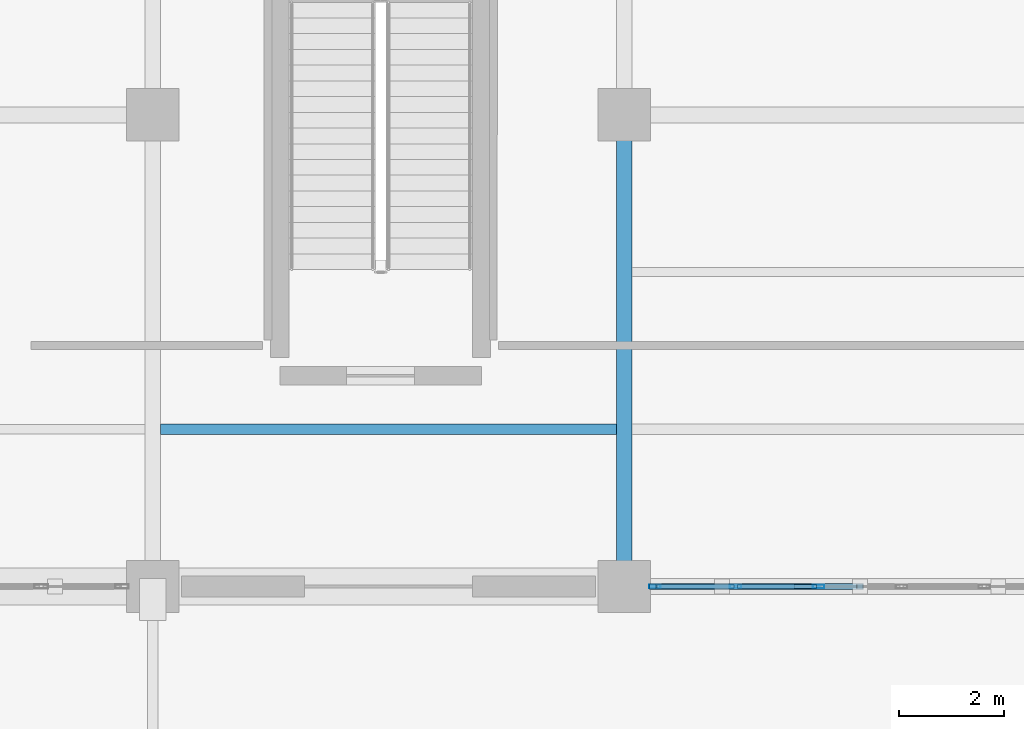
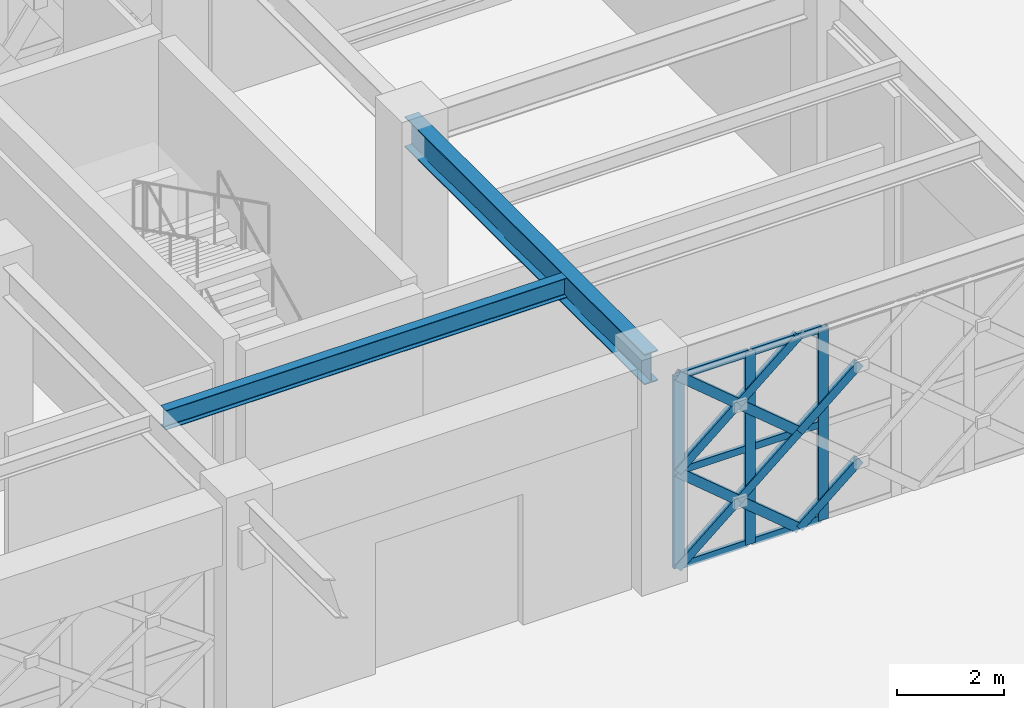
# One storey, part 45 of 140: 17 members, 2 beams, 1 element without a shape of its own.
"""IFC4 building model written with IfcOpenShell, lengths in metres."""

from ifc_helpers import new_model, si_unit, direction, frame, origin, origin_2d, place, context, subcontext, project, spatial, hollow_rectangle, i_section, extrude, material, material_profile, profile_set, type_object, element, aggregate, save


model = new_model("IFC4")

# Units and contexts
model_context = context("Model", 3, precision=1e-05, world=origin(), true_north=direction((0.0, 1.0)))
body_context = subcontext(model_context, "Body", "Model", "MODEL_VIEW")
ifc_project = project(units=[si_unit("LENGTHUNIT", "METRE"), si_unit("AREAUNIT", "SQUARE_METRE"), si_unit("VOLUMEUNIT", "CUBIC_METRE"), si_unit("PLANEANGLEUNIT", "RADIAN"), si_unit("MASSUNIT", "GRAM", prefix="KILO")], contexts=[model_context])

# Site, building, storey
site_placement = place(None, origin())
site = spatial("IfcSite", under=ifc_project, at=site_placement, CompositionType="ELEMENT")
building_placement = place(site_placement, origin())
building = spatial("IfcBuilding", under=site, at=building_placement, Name="Haizhuo Lancet Aquarium", CompositionType="ELEMENT")
storey_placement = place(building_placement, origin())
storey = spatial("IfcBuildingStorey", under=building, at=storey_placement, Name="L00", CompositionType="ELEMENT", Elevation=0.0)

# Beam
ifc_material_1 = material(Name="Steel S355", Category="steel")
ifc_material_profile_1 = material_profile(ifc_material_1, i_section(OverallWidth=0.300048828125, OverallDepth=0.699951171875, WebThickness=0.012939453125, FlangeThickness=0.02392578125, FilletRadius=0.02587890625, at=origin_2d()), Name="HN 700x300x13x24")
ifc_profile_set_1 = profile_set([ifc_material_profile_1], Name="Steel S355")
beam_type_1 = type_object("IfcBeamType", Name="BM-ST-HN700", PredefinedType="BEAM", material=ifc_profile_set_1)
beam_1_placement = place(storey_placement, frame((-45.0, 9.0, 4.77001953125), z_axis=(0.0, 1.0, 0.0), x_axis=(-1.0, 0.0, 0.0)))
element("IfcBeam", 1, at=beam_1_placement, inside=storey, type_object=beam_type_1, Name="L00 V2 primary girder BM-L00-V2-016", PredefinedType="BEAM", context=body_context, shape_type="SweptSolid", body=[
    extrude(i_section(OverallWidth=0.300048828125, OverallDepth=0.699951171875, WebThickness=0.012939453125, FlangeThickness=0.02392578125, FilletRadius=0.02587890625, at=origin_2d()), origin(), (0.0, 0.0, 1.0), 9.0),
])

# Curtain wall, members
ifc_material_2 = material(Name="Aluminium 6063-T6", Category="aluminium")
curtain_wall_type = type_object("IfcCurtainWallType", Name="CWO-7910x4420", PredefinedType="NOTDEFINED", material=ifc_material_2)
curtain_wall_placement = place(storey_placement, origin())
curtain_wall = element("IfcCurtainWall", 2, at=curtain_wall_placement, inside=storey, type_object=curtain_wall_type, Name="L00 curtain wall CW-V2-L00-017", PredefinedType="NOTDEFINED")
ifc_material_profile_2 = material_profile(ifc_material_2, hollow_rectangle(XDim=0.074951171875, YDim=0.219970703125, WallThickness=0.0048828125, at=origin_2d()), Name="ALU-M 75x220x5")
ifc_profile_set_2 = profile_set([ifc_material_profile_2], Name="Aluminium 6063-T6")
member_type_1 = type_object("IfcMemberType", Name="CW-MUL-2", PredefinedType="MULLION", material=ifc_profile_set_2)
member_1_placement = place(storey_placement, frame((-41.291015625, 9.0, 0.0), z_axis=(0.0, 0.0, 1.0), x_axis=(0.0, -1.0, 0.0)))
member_1 = element("IfcMember", 3, at=member_1_placement, type_object=member_type_1, Name="CWO-79x44 mullion 4", PredefinedType="MULLION", context=body_context, shape_type="SweptSolid", body=[
    extrude(hollow_rectangle(XDim=0.074951171875, YDim=0.219970703125, WallThickness=0.0048828125, at=origin_2d()), origin(), (0.0, 0.0, 1.0), 4.419921875),
])
member_2_placement = place(storey_placement, frame((-42.873046875, 9.0, 0.0), z_axis=(0.0, 0.0, 1.0), x_axis=(0.0, -1.0, 0.0)))
member_2 = element("IfcMember", 4, at=member_2_placement, type_object=member_type_1, Name="CWO-79x44 mullion 5", PredefinedType="MULLION", context=body_context, shape_type="SweptSolid", body=[
    extrude(hollow_rectangle(XDim=0.074951171875, YDim=0.219970703125, WallThickness=0.0048828125, at=origin_2d()), origin(), (0.0, 0.0, 1.0), 4.419921875),
])
member_3_placement = place(storey_placement, frame((-44.4169921875, 9.0, 0.0), z_axis=(0.0, 0.0, 1.0), x_axis=(0.0, -1.0, 0.0)))
member_3 = element("IfcMember", 5, at=member_3_placement, type_object=member_type_1, Name="CWO-79x44 mullion 6", PredefinedType="MULLION", context=body_context, shape_type="SweptSolid", body=[
    extrude(hollow_rectangle(XDim=0.074951171875, YDim=0.219970703125, WallThickness=0.0048828125, at=origin_2d()), origin(), (0.0, 0.0, 1.0), 4.419921875),
])
ifc_material_profile_3 = material_profile(ifc_material_2, hollow_rectangle(XDim=0.074951171875, YDim=0.159912109375, WallThickness=0.00390625, at=origin_2d()), Name="ALU-T 75x160x4")
ifc_profile_set_3 = profile_set([ifc_material_profile_3], Name="Aluminium 6063-T6")
member_type_2 = type_object("IfcMemberType", Name="CW-TRN-2", PredefinedType="NOTDEFINED", material=ifc_profile_set_3)
member_4_placement = place(storey_placement, frame((-41.327880859375, 9.0, 0.037109375), z_axis=(-1.0, 0.0, 0.0), x_axis=(0.0, -1.0, 0.0)))
member_4 = element("IfcMember", 6, at=member_4_placement, type_object=member_type_2, Name="CWO-79x44 transom 4.1", ObjectType="TRANSOM", PredefinedType="USERDEFINED", context=body_context, shape_type="SweptSolid", body=[
    extrude(hollow_rectangle(XDim=0.074951171875, YDim=0.159912109375, WallThickness=0.00390625, at=origin_2d()), origin(), (0.0, 0.0, 1.0), 1.507080078125),
])
member_5_placement = place(storey_placement, frame((-41.327880859375, 9.0, 2.2099609375), z_axis=(-1.0, 0.0, 0.0), x_axis=(0.0, -1.0, 0.0)))
member_5 = element("IfcMember", 7, at=member_5_placement, type_object=member_type_2, Name="CWO-79x44 transom 4.2", ObjectType="TRANSOM", PredefinedType="USERDEFINED", context=body_context, shape_type="SweptSolid", body=[
    extrude(hollow_rectangle(XDim=0.074951171875, YDim=0.159912109375, WallThickness=0.00390625, at=origin_2d()), origin(), (0.0, 0.0, 1.0), 1.507080078125),
])
member_6_placement = place(storey_placement, frame((-41.327880859375, 9.0, 4.383056640625), z_axis=(-1.0, 0.0, 0.0), x_axis=(0.0, -1.0, 0.0)))
member_6 = element("IfcMember", 8, at=member_6_placement, type_object=member_type_2, Name="CWO-79x44 transom 4.3", ObjectType="TRANSOM", PredefinedType="USERDEFINED", context=body_context, shape_type="SweptSolid", body=[
    extrude(hollow_rectangle(XDim=0.074951171875, YDim=0.159912109375, WallThickness=0.00390625, at=origin_2d()), origin(), (0.0, 0.0, 1.0), 1.507080078125),
])
member_7_placement = place(storey_placement, frame((-42.909912109375, 9.0, 0.037109375), z_axis=(-1.0, 0.0, 0.0), x_axis=(0.0, -1.0, 0.0)))
member_7 = element("IfcMember", 9, at=member_7_placement, type_object=member_type_2, Name="CWO-79x44 transom 5.1", ObjectType="TRANSOM", PredefinedType="USERDEFINED", context=body_context, shape_type="SweptSolid", body=[
    extrude(hollow_rectangle(XDim=0.074951171875, YDim=0.159912109375, WallThickness=0.00390625, at=origin_2d()), origin(), (0.0, 0.0, 1.0), 1.469970703125),
])
member_8_placement = place(storey_placement, frame((-42.909912109375, 9.0, 2.2099609375), z_axis=(-1.0, 0.0, 0.0), x_axis=(0.0, -1.0, 0.0)))
member_8 = element("IfcMember", 10, at=member_8_placement, type_object=member_type_2, Name="CWO-79x44 transom 5.2", ObjectType="TRANSOM", PredefinedType="USERDEFINED", context=body_context, shape_type="SweptSolid", body=[
    extrude(hollow_rectangle(XDim=0.074951171875, YDim=0.159912109375, WallThickness=0.00390625, at=origin_2d()), origin(), (0.0, 0.0, 1.0), 1.469970703125),
])
member_9_placement = place(storey_placement, frame((-42.909912109375, 9.0, 4.383056640625), z_axis=(-1.0, 0.0, 0.0), x_axis=(0.0, -1.0, 0.0)))
member_9 = element("IfcMember", 11, at=member_9_placement, type_object=member_type_2, Name="CWO-79x44 transom 5.3", ObjectType="TRANSOM", PredefinedType="USERDEFINED", context=body_context, shape_type="SweptSolid", body=[
    extrude(hollow_rectangle(XDim=0.074951171875, YDim=0.159912109375, WallThickness=0.00390625, at=origin_2d()), origin(), (0.0, 0.0, 1.0), 1.469970703125),
])
aggregate(curtain_wall, [member_1, member_2, member_3, member_4, member_5, member_6, member_7, member_8, member_9])

# Beam
ifc_material_profile_4 = material_profile(ifc_material_1, i_section(OverallWidth=0.199951171875, OverallDepth=0.449951171875, WebThickness=0.009033203125, FlangeThickness=0.013916015625, FilletRadius=0.01806640625, at=origin_2d()), Name="HN 450x200x9x14")
ifc_profile_set_4 = profile_set([ifc_material_profile_4], Name="Steel S355")
beam_type_2 = type_object("IfcBeamType", Name="JST-ST-HN450", PredefinedType="JOIST", material=ifc_profile_set_4)
beam_2_placement = place(storey_placement, frame((-53.85009765625, 12.0, 4.89501953125), z_axis=(1.0, 0.0, 0.0), x_axis=(0.0, 1.0, 0.0)))
element("IfcBeam", 12, at=beam_2_placement, inside=storey, type_object=beam_type_2, Name="L00 V2 secondary floor joist 10", PredefinedType="JOIST", context=body_context, shape_type="SweptSolid", body=[
    extrude(i_section(OverallWidth=0.199951171875, OverallDepth=0.449951171875, WebThickness=0.009033203125, FlangeThickness=0.013916015625, FilletRadius=0.01806640625, at=origin_2d()), origin(), (0.0, 0.0, 1.0), 8.7001953125),
])

# Members
ifc_material_profile_5 = material_profile(ifc_material_1, hollow_rectangle(XDim=0.1201171875, YDim=0.199951171875, WallThickness=0.008056640625, at=origin_2d()), Name="RHS 120x200x8")
ifc_profile_set_5 = profile_set([ifc_material_profile_5], Name="Steel S355")
member_type_3 = type_object("IfcMemberType", Name="MEM-LB-RHS120x200", PredefinedType="BRACE", material=ifc_profile_set_5)
for number, where, z_axis, x_axis, name in (
    (13, (-41.818115234375, 9.0, 0.0), (0.766344822145, 0.0, 0.642429461943), (0.0, 1.0, 0.0), "Gothic lancet split diagonal brace CW-V2-L00-017 3B1"),
    (14, (-41.818115234375, 9.0, 2.2099609375), (0.766344822145, 0.0, 0.642429461943), (0.0, 1.0, 0.0), "Gothic lancet split diagonal brace CW-V2-L00-017 4B1"),
):
    element("IfcMember", number, at=place(storey_placement, frame(where, z_axis=z_axis, x_axis=x_axis)), inside=storey, type_object=member_type_3, Name=name, PredefinedType="BRACE", context=body_context, shape_type="SweptSolid", body=[
        extrude(hollow_rectangle(XDim=0.1201171875, YDim=0.199951171875, WallThickness=0.008056640625, at=origin_2d()), origin(), (0.0, 0.0, 1.0), 1.719970703125),
    ])
member_10_placement = place(storey_placement, frame((-41.818115234375, 9.0, 0.0), z_axis=(-0.766432673157, 0.0, 0.642324651182), x_axis=(0.0, -1.0, 0.0)))
element("IfcMember", 15, at=member_10_placement, inside=storey, type_object=member_type_3, Name="Gothic lancet continuous diagonal brace CW-V2-L00-017 5A", PredefinedType="BRACE", context=body_context, shape_type="SweptSolid", body=[
    extrude(hollow_rectangle(XDim=0.1201171875, YDim=0.199951171875, WallThickness=0.008056640625, at=origin_2d()), origin(), (0.0, 0.0, 1.0), 3.440673828125),
])
member_11_placement = place(storey_placement, frame((-44.455078125, 9.0, 0.0), z_axis=(0.76657899599, 0.0, 0.64215001589), x_axis=(0.0, 1.0, 0.0)))
element("IfcMember", 16, at=member_11_placement, inside=storey, type_object=member_type_3, Name="Gothic lancet split diagonal brace CW-V2-L00-017 5B1", PredefinedType="BRACE", context=body_context, shape_type="SweptSolid", body=[
    extrude(hollow_rectangle(XDim=0.1201171875, YDim=0.199951171875, WallThickness=0.008056640625, at=origin_2d()), origin(), (0.0, 0.0, 1.0), 1.720703125),
])
member_12_placement = place(storey_placement, frame((-43.135986328125, 9.0, 1.10498046875), z_axis=(0.766286230908, 0.0, 0.642499348109), x_axis=(0.0, 1.0, 0.0)))
element("IfcMember", 17, at=member_12_placement, inside=storey, type_object=member_type_3, Name="Gothic lancet split diagonal brace CW-V2-L00-017 5B2", PredefinedType="BRACE", context=body_context, shape_type="SweptSolid", body=[
    extrude(hollow_rectangle(XDim=0.1201171875, YDim=0.199951171875, WallThickness=0.008056640625, at=origin_2d()), origin(), (0.0, 0.0, 1.0), 1.7197265625),
])
member_13_placement = place(storey_placement, frame((-41.818115234375, 9.0, 2.2099609375), z_axis=(-0.766432673157, 0.0, 0.642324651182), x_axis=(0.0, -1.0, 0.0)))
element("IfcMember", 18, at=member_13_placement, inside=storey, type_object=member_type_3, Name="Gothic lancet continuous diagonal brace CW-V2-L00-017 6A", PredefinedType="BRACE", context=body_context, shape_type="SweptSolid", body=[
    extrude(hollow_rectangle(XDim=0.1201171875, YDim=0.199951171875, WallThickness=0.008056640625, at=origin_2d()), origin(), (0.0, 0.0, 1.0), 3.440673828125),
])
member_14_placement = place(storey_placement, frame((-44.455078125, 9.0, 2.2099609375), z_axis=(0.76657899599, 0.0, 0.64215001589), x_axis=(0.0, 1.0, 0.0)))
element("IfcMember", 19, at=member_14_placement, inside=storey, type_object=member_type_3, Name="Gothic lancet split diagonal brace CW-V2-L00-017 6B1", PredefinedType="BRACE", context=body_context, shape_type="SweptSolid", body=[
    extrude(hollow_rectangle(XDim=0.1201171875, YDim=0.199951171875, WallThickness=0.008056640625, at=origin_2d()), origin(), (0.0, 0.0, 1.0), 1.720703125),
])
member_15_placement = place(storey_placement, frame((-43.135986328125, 9.0, 3.31494140625), z_axis=(0.766286230908, 0.0, 0.642499348109), x_axis=(0.0, 1.0, 0.0)))
element("IfcMember", 20, at=member_15_placement, inside=storey, type_object=member_type_3, Name="Gothic lancet split diagonal brace CW-V2-L00-017 6B2", PredefinedType="BRACE", context=body_context, shape_type="SweptSolid", body=[
    extrude(hollow_rectangle(XDim=0.1201171875, YDim=0.199951171875, WallThickness=0.008056640625, at=origin_2d()), origin(), (0.0, 0.0, 1.0), 1.7197265625),
])

save(model, "model.ifc")
